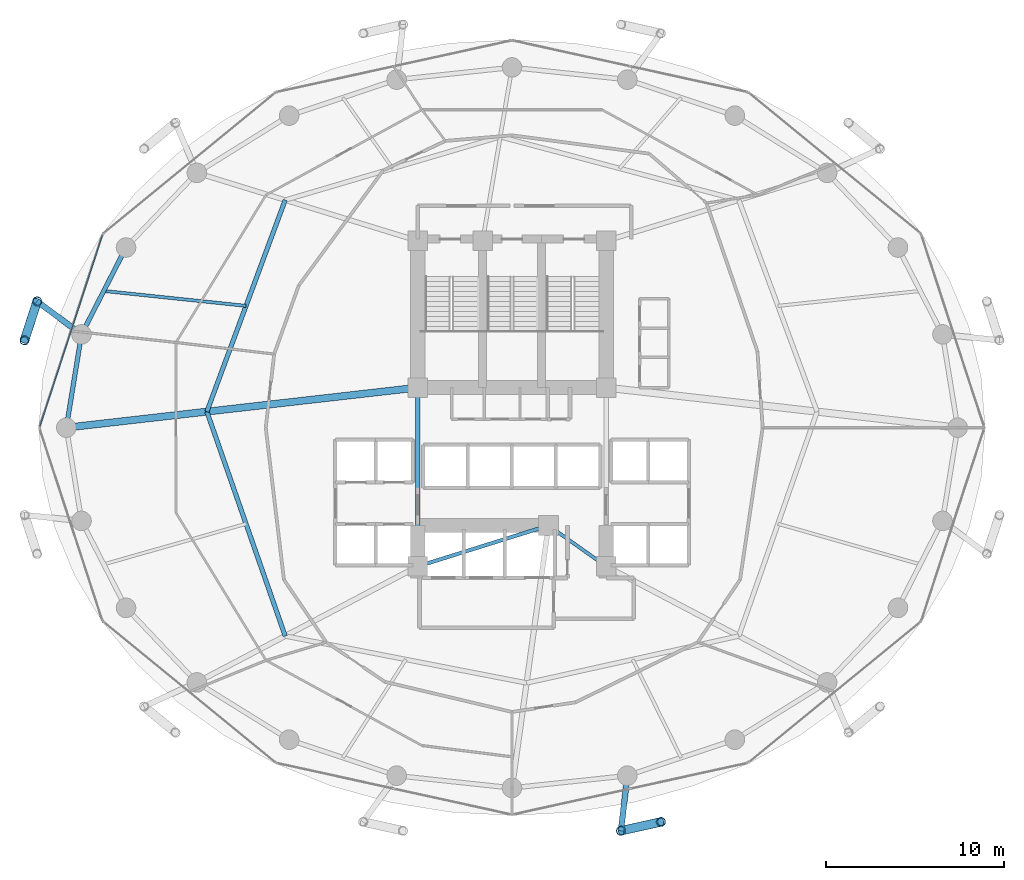
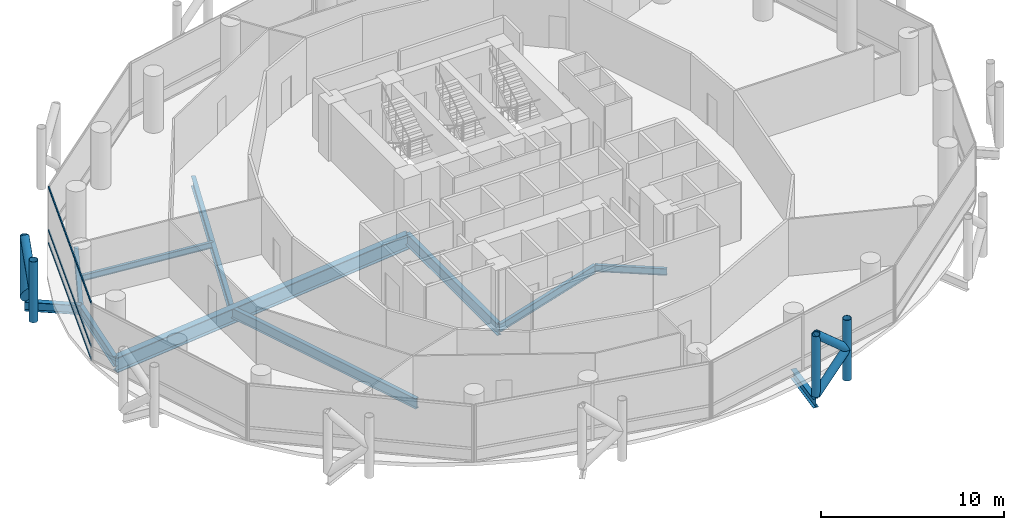
# One storey, part 7 of 25: 11 beams, 11 members, 1 element without a shape of its own.
"""IFC4 building model written with IfcOpenShell, lengths in metres."""

from ifc_helpers import new_model, si_unit, direction, frame, origin, origin_2d, place, context, subcontext, project, spatial, hollow_rectangle, hollow_circle, i_section, extrude, material, layer, layer_set, material_profile, profile_set, type_object, element, aggregate, save


model = new_model("IFC4")

# Units and contexts
model_context = context("Model", 3, precision=1e-05, world=origin(), true_north=direction((0.0, 1.0)))
body_context = subcontext(model_context, "Body", "Model", "MODEL_VIEW")
ifc_project = project(units=[si_unit("LENGTHUNIT", "METRE"), si_unit("AREAUNIT", "SQUARE_METRE"), si_unit("VOLUMEUNIT", "CUBIC_METRE"), si_unit("PLANEANGLEUNIT", "RADIAN"), si_unit("MASSUNIT", "GRAM", prefix="KILO")], contexts=[model_context])

# Site, building, storey
site_placement = place(None, origin())
site = spatial("IfcSite", under=ifc_project, at=site_placement, CompositionType="ELEMENT")
building_placement = place(site_placement, origin())
building = spatial("IfcBuilding", under=site, at=building_placement, Name="Nuhasar Tower", CompositionType="ELEMENT")
storey_placement = place(building_placement, frame((0.0, 0.0, 57.449951171875)))
storey = spatial("IfcBuildingStorey", under=building, at=storey_placement, Name="L13", CompositionType="ELEMENT", Elevation=57.449951171875)

# Beams
ifc_material_1 = material(Name="Steel S355", Category="steel")
ifc_material_profile_1 = material_profile(ifc_material_1, i_section(OverallWidth=0.25390625, OverallDepth=0.68408203125, WebThickness=0.012451171875, FlangeThickness=0.018798828125, at=origin_2d()), Name="W27X94")
ifc_profile_set_1 = profile_set([ifc_material_profile_1], Name="Steel S355")
beam_type_1 = type_object("IfcBeamType", Name="BM-INRING-W27X94", PredefinedType="BEAM", material=ifc_profile_set_1)
beam_1_placement = place(storey_placement, frame((26.251953125, 39.591064453125, -0.592041015625), z_axis=(-0.34715757476, -0.937806812881, 0.0), x_axis=(0.937806812881, -0.34715757476, 0.0)))
element("IfcBeam", 1, at=beam_1_placement, inside=storey, type_object=beam_type_1, Name="L13 Inner Header Beam 07", PredefinedType="BEAM", context=body_context, shape_type="SweptSolid", body=[
    extrude(i_section(OverallWidth=0.25390625, OverallDepth=0.68408203125, WebThickness=0.012451171875, FlangeThickness=0.018798828125, at=origin_2d()), origin(), (0.0, 0.0, 1.0), 12.6796875),
])
beam_2_placement = place(storey_placement, frame((21.85009765625, 27.699951171875, -0.592041015625), z_axis=(0.329554049858, -0.944136710558, 0.0), x_axis=(0.944136710558, 0.329554049858, 0.0)))
element("IfcBeam", 2, at=beam_2_placement, inside=storey, type_object=beam_type_1, Name="L13 Inner Header Beam 08", PredefinedType="BEAM", context=body_context, shape_type="SweptSolid", body=[
    extrude(i_section(OverallWidth=0.25390625, OverallDepth=0.68408203125, WebThickness=0.012451171875, FlangeThickness=0.018798828125, at=origin_2d()), origin(), (0.0, 0.0, 1.0), 13.35693359375),
])
ifc_material_profile_2 = material_profile(ifc_material_1, i_section(OverallWidth=0.177978515625, OverallDepth=0.406005859375, WebThickness=0.0078125, FlangeThickness=0.0126953125, at=origin_2d()), Name="W16X40")
ifc_profile_set_2 = profile_set([ifc_material_profile_2], Name="Steel S355")
beam_type_2 = type_object("IfcBeamType", Name="BM-JST-W16X40", PredefinedType="JOIST", material=ifc_profile_set_2)
beam_3_placement = place(storey_placement, frame((24.051025390625, 33.64501953125, -0.452880859375), z_axis=(-0.994554594377, 0.104216883485, 0.0), x_axis=(-0.104216883485, -0.994554594377, 0.0)))
element("IfcBeam", 3, at=beam_3_placement, inside=storey, type_object=beam_type_2, Name="L13 Secondary Floor Joist 07", PredefinedType="JOIST", context=body_context, shape_type="SweptSolid", body=[
    extrude(i_section(OverallWidth=0.177978515625, OverallDepth=0.406005859375, WebThickness=0.0078125, FlangeThickness=0.0126953125, at=origin_2d()), origin(), (0.0, 0.0, 1.0), 8.039794921875),
])
ifc_material_profile_3 = material_profile(ifc_material_1, i_section(OverallWidth=0.18994140625, OverallDepth=0.45703125, WebThickness=0.009033203125, FlangeThickness=0.014404296875, at=origin_2d()), Name="W18X50")
ifc_profile_set_3 = profile_set([ifc_material_profile_3], Name="Steel S355")
beam_type_3 = type_object("IfcBeamType", Name="BM-RAD-W18X50", PredefinedType="BEAM", material=ifc_profile_set_3)
beam_4_placement = place(storey_placement, frame((41.050048828125, 21.300048828125, -0.47802734375), z_axis=(0.816265428953, -0.577677028708, 0.0), x_axis=(0.577677028708, 0.816265428953, 0.0)))
element("IfcBeam", 4, at=beam_4_placement, inside=storey, type_object=beam_type_3, Name="L13 Core Ring Girder 2", PredefinedType="BEAM", context=body_context, shape_type="SweptSolid", body=[
    extrude(i_section(OverallWidth=0.18994140625, OverallDepth=0.45703125, WebThickness=0.009033203125, FlangeThickness=0.014404296875, at=origin_2d()), origin(), (0.0, 0.0, 1.0), 3.9814453125),
])
ifc_material_profile_4 = material_profile(ifc_material_1, i_section(OverallWidth=0.208984375, OverallDepth=0.532958984375, WebThickness=0.01025390625, FlangeThickness=0.015625, at=origin_2d()), Name="W21X62")
ifc_profile_set_4 = profile_set([ifc_material_profile_4], Name="Steel S355")
beam_type_4 = type_object("IfcBeamType", Name="BM-RAD-W21X62", PredefinedType="BEAM", material=ifc_profile_set_4)
beam_5_placement = place(storey_placement, frame((33.699951171875, 19.0, -0.515869140625), z_axis=(0.954363709454, 0.298646798205, 0.0), x_axis=(-0.298646798205, 0.954363709454, 0.0)))
element("IfcBeam", 5, at=beam_5_placement, inside=storey, type_object=beam_type_4, Name="L13 Core Ring Girder 1", PredefinedType="BEAM", context=body_context, shape_type="SweptSolid", body=[
    extrude(i_section(OverallWidth=0.208984375, OverallDepth=0.532958984375, WebThickness=0.01025390625, FlangeThickness=0.015625, at=origin_2d()), origin(), (0.0, 0.0, 1.0), 7.70166015625),
])
ifc_material_profile_5 = material_profile(ifc_material_1, i_section(OverallWidth=0.26611328125, OverallDepth=0.779052734375, WebThickness=0.0166015625, FlangeThickness=0.030029296875, at=origin_2d()), Name="W30X148")
ifc_profile_set_5 = profile_set([ifc_material_profile_5], Name="Steel S355")
beam_type_5 = type_object("IfcBeamType", Name="BM-RAD-W30X148", PredefinedType="BEAM", material=ifc_profile_set_5)
beam_6_placement = place(storey_placement, frame((33.699951171875, 29.050048828125, -0.638916015625), z_axis=(0.0, -1.0, 0.0), x_axis=(1.0, 0.0, 0.0)))
element("IfcBeam", 6, at=beam_6_placement, inside=storey, type_object=beam_type_5, Name="L13 Core Ring Girder 8", PredefinedType="BEAM", context=body_context, shape_type="SweptSolid", body=[
    extrude(i_section(OverallWidth=0.26611328125, OverallDepth=0.779052734375, WebThickness=0.0166015625, FlangeThickness=0.030029296875, at=origin_2d()), origin(), (0.0, 0.0, 1.0), 10.050048828125),
])
ifc_material_profile_6 = material_profile(ifc_material_1, i_section(OverallWidth=0.256103515625, OverallDepth=0.693115234375, WebThickness=0.014404296875, FlangeThickness=0.023681640625, at=origin_2d()), Name="W27X114")
ifc_profile_set_6 = profile_set([ifc_material_profile_6], Name="Steel S355")
beam_type_6 = type_object("IfcBeamType", Name="BM-RING-W27X114", PredefinedType="SPANDREL", material=ifc_profile_set_6)
beam_7_placement = place(storey_placement, frame((17.305908203125, 36.925048828125, -0.595947265625), z_axis=(-0.455930023905, -0.890015625314, 0.0), x_axis=(0.890015625314, -0.455930023905, 0.0)))
element("IfcBeam", 7, at=beam_7_placement, inside=storey, type_object=beam_type_6, Name="L13 Perimeter Ring Spandrel 11", PredefinedType="SPANDREL", context=body_context, shape_type="SweptSolid", body=[
    extrude(i_section(OverallWidth=0.256103515625, OverallDepth=0.693115234375, WebThickness=0.014404296875, FlangeThickness=0.023681640625, at=origin_2d()), origin(), (0.0, 0.0, 1.0), 5.487548828125),
])
beam_8_placement = place(storey_placement, frame((14.803955078125, 32.041015625, -0.595947265625), z_axis=(-0.160826635486, -0.986982671235, 0.0), x_axis=(0.986982671235, -0.160826635486, 0.0)))
element("IfcBeam", 8, at=beam_8_placement, inside=storey, type_object=beam_type_6, Name="L13 Perimeter Ring Spandrel 12", PredefinedType="SPANDREL", context=body_context, shape_type="SweptSolid", body=[
    extrude(i_section(OverallWidth=0.256103515625, OverallDepth=0.693115234375, WebThickness=0.014404296875, FlangeThickness=0.023681640625, at=origin_2d()), origin(), (0.0, 0.0, 1.0), 5.31005859375),
])
ifc_material_profile_7 = material_profile(ifc_material_1, i_section(OverallWidth=0.323974609375, OverallDepth=0.611083984375, WebThickness=0.0126953125, FlangeThickness=0.01904296875, at=origin_2d()), Name="W24X104")
ifc_profile_set_7 = profile_set([ifc_material_profile_7], Name="Steel S355")
beam_type_7 = type_object("IfcBeamType", Name="BM-TIE-W24X104", PredefinedType="BEAM", material=ifc_profile_set_7)
beam_9_placement = place(storey_placement, frame((14.803955078125, 32.041015625, -0.554931640625), z_axis=(-0.802151061326, 0.597121155892, 0.0), x_axis=(-0.597121155892, -0.802151061326, 0.0)))
element("IfcBeam", 9, at=beam_9_placement, inside=storey, type_object=beam_type_7, Name="L13 Exoskeleton Node Tie Beam 06", PredefinedType="BEAM", context=body_context, shape_type="SweptSolid", body=[
    extrude(i_section(OverallWidth=0.323974609375, OverallDepth=0.611083984375, WebThickness=0.0126953125, FlangeThickness=0.01904296875, at=origin_2d()), origin(), (0.0, 0.0, 1.0), 3.111328125),
])
beam_10_placement = place(storey_placement, frame((45.48291015625, 7.239990234375, -0.554931640625), z_axis=(-0.115042934281, -0.993360520291, 0.0), x_axis=(0.993360520291, -0.115042934281, 0.0)))
element("IfcBeam", 10, at=beam_10_placement, inside=storey, type_object=beam_type_7, Name="L13 Exoskeleton Node Tie Beam 10", PredefinedType="BEAM", context=body_context, shape_type="SweptSolid", body=[
    extrude(i_section(OverallWidth=0.323974609375, OverallDepth=0.611083984375, WebThickness=0.0126953125, FlangeThickness=0.01904296875, at=origin_2d()), origin(), (0.0, 0.0, 1.0), 3.11962890625),
])
ifc_material_2 = material(Name="Steel S460", Category="steel")
ifc_material_profile_8 = material_profile(ifc_material_2, i_section(OverallWidth=0.40087890625, OverallDepth=1.010009765625, WebThickness=0.023681640625, FlangeThickness=0.0419921875, at=origin_2d()), Name="W40X297")
ifc_profile_set_8 = profile_set([ifc_material_profile_8], Name="Steel S460")
beam_type_8 = type_object("IfcBeamType", Name="BM-XFER-W40X297", PredefinedType="USERDEFINED", material=ifc_profile_set_8)
beam_11_placement = place(storey_placement, frame((33.699951171875, 29.050048828125, -0.7548828125), z_axis=(-0.993573147212, -0.113191877531, 0.0), x_axis=(0.113191877531, -0.993573147212, 0.0)))
element("IfcBeam", 11, at=beam_11_placement, inside=storey, type_object=beam_type_8, Name="L13 Radial Floor Girder 08", ObjectType="GIRDER", PredefinedType="USERDEFINED", context=body_context, shape_type="SweptSolid", body=[
    extrude(i_section(OverallWidth=0.40087890625, OverallDepth=1.010009765625, WebThickness=0.023681640625, FlangeThickness=0.0419921875, at=origin_2d()), origin(), (0.0, 0.0, 1.0), 19.877685546875),
])

# Curtain wall, members
ifc_material_3 = material(Name="Aluminium 6063-T6", Category="aluminium")
ifc_layer = layer(ifc_material_3, 0.199951171875)
ifc_layer_set = layer_set([ifc_layer], Name="Aluminium 6063-T6")
curtain_wall_type = type_object("IfcCurtainWallType", Name="CW-Z1-OFF", PredefinedType="NOTDEFINED", material=ifc_layer_set)
curtain_wall_placement = place(storey_placement, origin())
curtain_wall = element("IfcCurtainWall", 12, at=curtain_wall_placement, inside=storey, type_object=curtain_wall_type, Name="L13 Unitised Curtain Wall 06", PredefinedType="NOTDEFINED")
ifc_material_profile_9 = material_profile(ifc_material_3, hollow_rectangle(XDim=0.06494140625, YDim=0.14990234375, WallThickness=0.00439453125, at=origin_2d()), Name="CWT-2")
ifc_profile_set_9 = profile_set([ifc_material_profile_9], Name="Aluminium 6063-T6")
member_type_1 = type_object("IfcMemberType", Name="CW-TRN-S2", PredefinedType="USERDEFINED", material=ifc_profile_set_9)
member_1_placement = place(storey_placement, frame((15.977783203125, 37.6181640625, 0.032470703125), z_axis=(-0.31082506089, -0.950467138581, 0.0), x_axis=(0.950467138581, -0.31082506089, 0.0)))
member_1 = element("IfcMember", 13, at=member_1_placement, type_object=member_type_1, Name="CW-Z1 transom 1.1", ObjectType="TRANSOM", PredefinedType="USERDEFINED", context=body_context, shape_type="SweptSolid", body=[
    extrude(hollow_rectangle(XDim=0.06494140625, YDim=0.14990234375, WallThickness=0.00439453125, at=origin_2d()), origin(), (0.0, 0.0, 1.0), 11.31689453125),
])
member_2_placement = place(storey_placement, frame((15.977783203125, 37.6181640625, 0.900146484375), z_axis=(-0.31082506089, -0.950467138581, 0.0), x_axis=(0.950467138581, -0.31082506089, 0.0)))
member_2 = element("IfcMember", 14, at=member_2_placement, type_object=member_type_1, Name="CW-Z1 transom 1.2", ObjectType="TRANSOM", PredefinedType="USERDEFINED", context=body_context, shape_type="SweptSolid", body=[
    extrude(hollow_rectangle(XDim=0.06494140625, YDim=0.14990234375, WallThickness=0.00439453125, at=origin_2d()), origin(), (0.0, 0.0, 1.0), 11.31689453125),
])
member_3_placement = place(storey_placement, frame((15.977783203125, 37.6181640625, 3.767578125), z_axis=(-0.31082506089, -0.950467138581, 0.0), x_axis=(0.950467138581, -0.31082506089, 0.0)))
member_3 = element("IfcMember", 15, at=member_3_placement, type_object=member_type_1, Name="CW-Z1 transom 1.3", ObjectType="TRANSOM", PredefinedType="USERDEFINED", context=body_context, shape_type="SweptSolid", body=[
    extrude(hollow_rectangle(XDim=0.06494140625, YDim=0.14990234375, WallThickness=0.00439453125, at=origin_2d()), origin(), (0.0, 0.0, 1.0), 11.31689453125),
])
aggregate(curtain_wall, [member_1, member_2, member_3])

# Members
ifc_material_profile_10 = material_profile(ifc_material_2, hollow_circle(Radius=0.25390625, WallThickness=0.025390625, at=origin_2d()), Name="HSS508X25.4")
ifc_profile_set_10 = profile_set([ifc_material_profile_10], Name="Steel S460")
member_type_2 = type_object("IfcMemberType", Name="EXO-BRONZE-508", PredefinedType="BRACE", material=ifc_profile_set_10)
for number, where, z_axis, x_axis, name in (
    (16, (12.30810546875, 33.89892578125, 0.0), (0.0, 0.0, 1.0), (1.0, 0.0, 0.0), "L13 Exoskeleton Chord Column EC-06A"),
    (17, (11.60009765625, 31.7099609375, 0.0), (0.0, 0.0, 1.0), (1.0, 0.0, 0.0), "L13 Exoskeleton Chord Column EC-06B"),
    (18, (45.1240234375, 4.14111328125, 0.0), (0.0, 0.0, 1.0), (1.0, 0.0, 0.0), "L13 Exoskeleton Chord Column EC-10A"),
    (19, (47.3701171875, 4.639892578125, 0.0), (0.0, 0.0, 1.0), (1.0, 0.0, 0.0), "L13 Exoskeleton Chord Column EC-10B"),
):
    element("IfcMember", number, at=place(storey_placement, frame(where, z_axis=z_axis, x_axis=x_axis)), inside=storey, type_object=member_type_2, Name=name, PredefinedType="BRACE", context=body_context, shape_type="SweptSolid", body=[
        extrude(hollow_circle(Radius=0.25390625, WallThickness=0.025390625, at=origin_2d()), origin(), (0.0, 0.0, 1.0), 4.050048828125),
    ])
member_4_placement = place(storey_placement, frame((12.30810546875, 33.89892578125, 0.0), z_axis=(-0.230999678299, -0.714187281251, 0.660738734997), x_axis=(0.951468282519, -0.307746823478, 0.0)))
element("IfcMember", 20, at=member_4_placement, inside=storey, type_object=member_type_2, Name="L13 Bronze Diagrid Brace W1-06", PredefinedType="BRACE", context=body_context, shape_type="SweptSolid", body=[
    extrude(hollow_circle(Radius=0.25390625, WallThickness=0.025390625, at=origin_2d()), origin(), (0.0, 0.0, 1.0), 3.06494140625),
])
member_5_placement = place(storey_placement, frame((11.60009765625, 31.7099609375, 2.025146484375), z_axis=(0.231011836313, 0.714224870475, 0.660693851854), x_axis=(-0.951468282519, 0.307746823478, 0.0)))
element("IfcMember", 21, at=member_5_placement, inside=storey, type_object=member_type_2, Name="L13 Bronze Diagrid Brace W2-06", PredefinedType="BRACE", context=body_context, shape_type="SweptSolid", body=[
    extrude(hollow_circle(Radius=0.25390625, WallThickness=0.025390625, at=origin_2d()), origin(), (0.0, 0.0, 1.0), 3.064697265625),
])
member_6_placement = place(storey_placement, frame((45.1240234375, 4.14111328125, 0.0), z_axis=(0.732792408767, 0.162727705556, 0.660707938122), x_axis=(-0.216784396973, 0.976219506683, 0.0)))
element("IfcMember", 22, at=member_6_placement, inside=storey, type_object=member_type_2, Name="L13 Bronze Diagrid Brace W1-10", PredefinedType="BRACE", context=body_context, shape_type="SweptSolid", body=[
    extrude(hollow_circle(Radius=0.25390625, WallThickness=0.025390625, at=origin_2d()), origin(), (0.0, 0.0, 1.0), 3.065185546875),
])
member_7_placement = place(storey_placement, frame((47.3701171875, 4.639892578125, 2.025146484375), z_axis=(-0.732830973624, -0.162736269469, 0.66066305383), x_axis=(0.216784396973, -0.976219506683, 0.0)))
element("IfcMember", 23, at=member_7_placement, inside=storey, type_object=member_type_2, Name="L13 Bronze Diagrid Brace W2-10", PredefinedType="BRACE", context=body_context, shape_type="SweptSolid", body=[
    extrude(hollow_circle(Radius=0.25390625, WallThickness=0.025390625, at=origin_2d()), origin(), (0.0, 0.0, 1.0), 3.06494140625),
])

save(model, "model.ifc")
